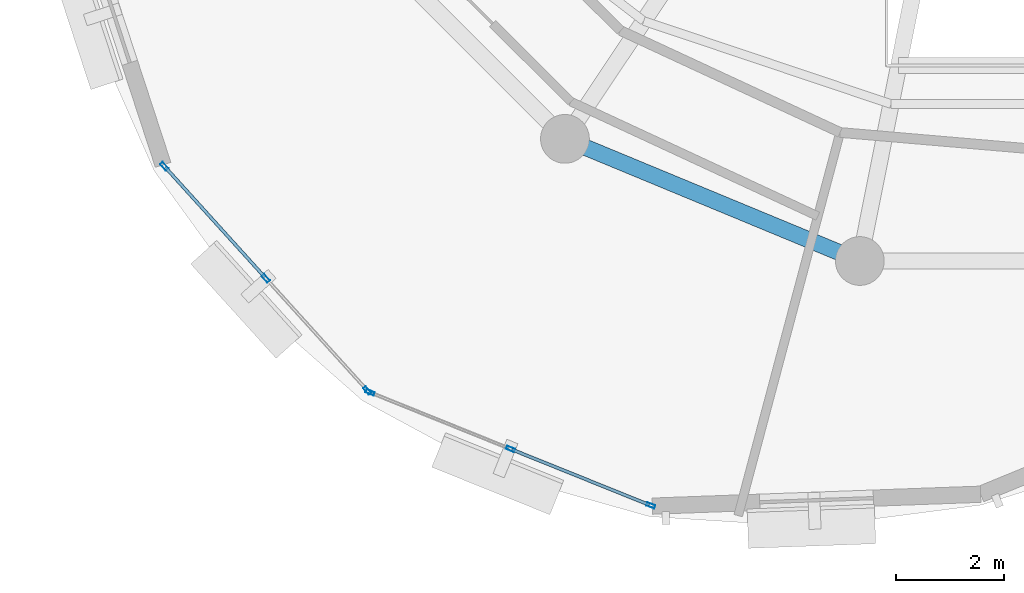
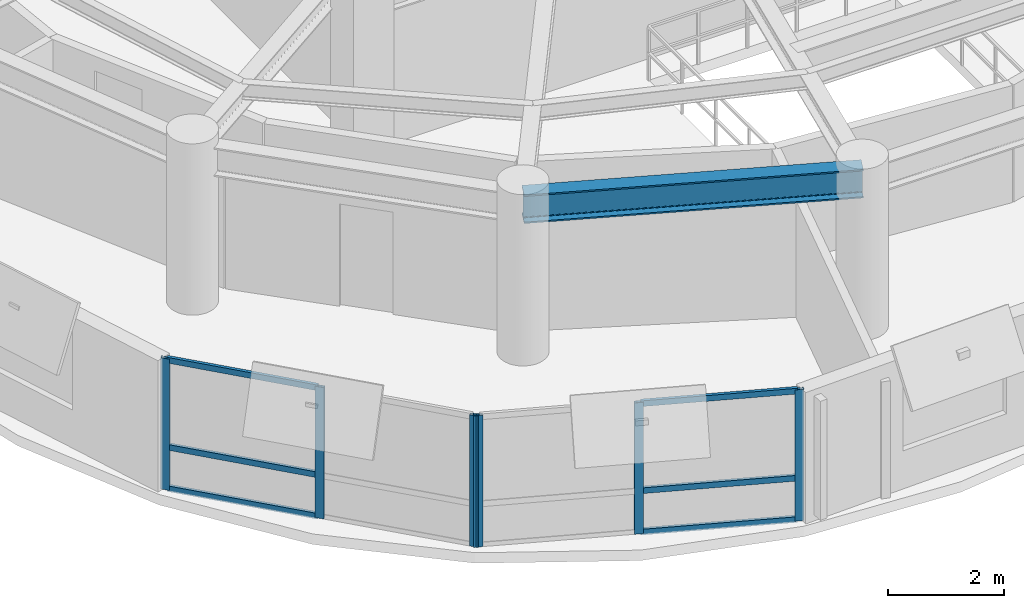
# One storey, part 2 of 11: 12 members, 1 beam, 2 elements without a shape of their own.
"""IFC4 building model written with IfcOpenShell, lengths in metres."""

from ifc_helpers import new_model, si_unit, direction, frame, origin, origin_2d, place, context, subcontext, project, spatial, hollow_rectangle, i_section, extrude, material, layer, layer_set, material_profile, profile_set, type_object, element, aggregate, save


model = new_model("IFC4")

# Units and contexts
model_context = context("Model", 3, precision=1e-05, world=origin(), true_north=direction((0.0, 1.0)))
body_context = subcontext(model_context, "Body", "Model", "MODEL_VIEW")
ifc_project = project(units=[si_unit("LENGTHUNIT", "METRE"), si_unit("AREAUNIT", "SQUARE_METRE"), si_unit("VOLUMEUNIT", "CUBIC_METRE"), si_unit("PLANEANGLEUNIT", "RADIAN"), si_unit("MASSUNIT", "GRAM", prefix="KILO"), si_unit("THERMODYNAMICTEMPERATUREUNIT", "KELVIN"), si_unit("POWERUNIT", "WATT")], contexts=[model_context])

# Site, building, storey
site_placement = place(None, origin())
site = spatial("IfcSite", under=ifc_project, at=site_placement, CompositionType="ELEMENT")
building_placement = place(site_placement, origin())
building = spatial("IfcBuilding", under=site, at=building_placement, Name="Ocrelia Relay Tower", CompositionType="ELEMENT")
storey_placement = place(building_placement, frame((0.0, 0.0, 259.199951171875)))
storey = spatial("IfcBuildingStorey", under=building, at=storey_placement, Name="L64", CompositionType="ELEMENT", Elevation=259.199951171875)

# Beam
ifc_material_1 = material(Name="Steel S355", Category="steel")
ifc_material_profile_1 = material_profile(ifc_material_1, i_section(OverallWidth=0.300048828125, OverallDepth=0.60009765625, WebThickness=0.015380859375, FlangeThickness=0.030029296875, FilletRadius=0.027099609375, at=origin_2d()), Name="HEB 600")
ifc_profile_set_1 = profile_set([ifc_material_profile_1], Name="Steel S355")
beam_type = type_object("IfcBeamType", Name="BM-HEB600", PredefinedType="BEAM", material=ifc_profile_set_1)
beam_placement = place(storey_placement, frame((25.61083984375, 13.44482421875, 3.080078125), z_axis=(0.923884009374, -0.382672624084, 0.0), x_axis=(0.382672624084, 0.923884009374, 0.0)))
element("IfcBeam", 1, at=beam_placement, inside=storey, type_object=beam_type, Name="L64 Perimeter Spandrel Beam S11", PredefinedType="BEAM", context=body_context, shape_type="SweptSolid", body=[
    extrude(i_section(OverallWidth=0.300048828125, OverallDepth=0.60009765625, WebThickness=0.015380859375, FlangeThickness=0.030029296875, FilletRadius=0.027099609375, at=origin_2d()), origin(), (0.0, 0.0, 1.0), 5.891845703125),
])

# Curtain wall, members
ifc_material_2 = material(Name="Aluminium and solar-control low-E glass", Category="aluminium")
ifc_layer = layer(ifc_material_2, 0.179931640625, Name="Aluminium and solar-control low-E glass")
ifc_layer_set = layer_set([ifc_layer], Name="Aluminium and solar-control low-E glass")
curtain_wall_type = type_object("IfcCurtainWallType", Name="CW-SYS-Z4-EXEC", PredefinedType="NOTDEFINED", material=ifc_layer_set)
curtain_wall_1_placement = place(storey_placement, origin())
curtain_wall_1 = element("IfcCurtainWall", 2, at=curtain_wall_1_placement, inside=storey, type_object=curtain_wall_type, Name="L64 Elliptical Tower Curtain Wall Bay 09", PredefinedType="NOTDEFINED")
ifc_material_3 = material(Name="Anodised bronze aluminium", Category="aluminium")
ifc_material_profile_2 = material_profile(ifc_material_3, hollow_rectangle(XDim=0.06494140625, YDim=0.159912109375, WallThickness=0.0048828125, at=origin_2d()), Name="CW-MUL-160x65")
ifc_profile_set_2 = profile_set([ifc_material_profile_2], Name="Anodised bronze aluminium")
member_type_1 = type_object("IfcMemberType", Name="CW-SYS-Z4-EXEC-MUL", PredefinedType="MULLION", material=ifc_profile_set_2)
member_1_placement = place(storey_placement, frame((18.215087890625, 12.94189453125, 0.0), z_axis=(0.0, 0.0, 1.0), x_axis=(0.741415012975, 0.671046778202, 0.0)))
member_1 = element("IfcMember", 3, at=member_1_placement, type_object=member_type_1, Name="CW-Z4 mullion 1", PredefinedType="MULLION", context=body_context, shape_type="SweptSolid", body=[
    extrude(hollow_rectangle(XDim=0.06494140625, YDim=0.159912109375, WallThickness=0.0048828125, at=origin_2d()), origin(), (0.0, 0.0, 1.0), 2.760009765625),
])
member_2_placement = place(storey_placement, frame((20.089111328125, 10.871337890625, 0.0), z_axis=(0.0, 0.0, 1.0), x_axis=(0.741415012975, 0.671046778202, 0.0)))
member_2 = element("IfcMember", 4, at=member_2_placement, type_object=member_type_1, Name="CW-Z4 mullion 2", PredefinedType="MULLION", context=body_context, shape_type="SweptSolid", body=[
    extrude(hollow_rectangle(XDim=0.06494140625, YDim=0.159912109375, WallThickness=0.0048828125, at=origin_2d()), origin(), (0.0, 0.0, 1.0), 2.760009765625),
])
member_3_placement = place(storey_placement, frame((21.963134765625, 8.80078125, 0.0), z_axis=(0.0, 0.0, 1.0), x_axis=(0.741415012975, 0.671046778202, 0.0)))
member_3 = element("IfcMember", 5, at=member_3_placement, type_object=member_type_1, Name="CW-Z4 mullion 3", PredefinedType="MULLION", context=body_context, shape_type="SweptSolid", body=[
    extrude(hollow_rectangle(XDim=0.06494140625, YDim=0.159912109375, WallThickness=0.0048828125, at=origin_2d()), origin(), (0.0, 0.0, 1.0), 2.760009765625),
])

curtain_wall_2_placement = place(storey_placement, origin())
curtain_wall_2 = element("IfcCurtainWall", 6, at=curtain_wall_2_placement, inside=storey, type_object=curtain_wall_type, Name="L64 Elliptical Tower Curtain Wall Bay 10", PredefinedType="NOTDEFINED")
member_4_placement = place(storey_placement, frame((22.01513671875, 8.7646484375, 0.0), z_axis=(0.0, 0.0, 1.0), x_axis=(0.373751273397, 0.927528967544, 0.0)))
member_4 = element("IfcMember", 7, at=member_4_placement, type_object=member_type_1, Name="CW-Z4 mullion 1", PredefinedType="MULLION", context=body_context, shape_type="SweptSolid", body=[
    extrude(hollow_rectangle(XDim=0.06494140625, YDim=0.159912109375, WallThickness=0.0048828125, at=origin_2d()), origin(), (0.0, 0.0, 1.0), 2.760009765625),
])
member_5_placement = place(storey_placement, frame((24.605224609375, 7.720947265625, 0.0), z_axis=(0.0, 0.0, 1.0), x_axis=(0.373751273397, 0.927528967544, 0.0)))
member_5 = element("IfcMember", 8, at=member_5_placement, type_object=member_type_1, Name="CW-Z4 mullion 2", PredefinedType="MULLION", context=body_context, shape_type="SweptSolid", body=[
    extrude(hollow_rectangle(XDim=0.06494140625, YDim=0.159912109375, WallThickness=0.0048828125, at=origin_2d()), origin(), (0.0, 0.0, 1.0), 2.760009765625),
])
member_6_placement = place(storey_placement, frame((27.195556640625, 6.67724609375, 0.0), z_axis=(0.0, 0.0, 1.0), x_axis=(0.373751273397, 0.927528967544, 0.0)))
member_6 = element("IfcMember", 9, at=member_6_placement, type_object=member_type_1, Name="CW-Z4 mullion 3", PredefinedType="MULLION", context=body_context, shape_type="SweptSolid", body=[
    extrude(hollow_rectangle(XDim=0.06494140625, YDim=0.159912109375, WallThickness=0.0048828125, at=origin_2d()), origin(), (0.0, 0.0, 1.0), 2.760009765625),
])

# Member
ifc_material_profile_3 = material_profile(ifc_material_3, hollow_rectangle(XDim=0.06005859375, YDim=0.1201171875, WallThickness=0.0048828125, at=origin_2d()), Name="CW-TRN-120x60")
ifc_profile_set_3 = profile_set([ifc_material_profile_3], Name="Anodised bronze aluminium")
member_type_2 = type_object("IfcMemberType", Name="CW-SYS-Z4-EXEC-TRN", PredefinedType="USERDEFINED", material=ifc_profile_set_3)
member_7_placement = place(storey_placement, frame((18.23681640625, 12.917724609375, 0.030029296875), z_axis=(0.671103135888, -0.741364000341, 0.0), x_axis=(0.741364000341, 0.671103135888, 0.0)))
member_7 = element("IfcMember", 10, at=member_7_placement, type_object=member_type_2, Name="CW-Z4 transom 1.1", ObjectType="TRANSOM", PredefinedType="USERDEFINED", context=body_context, shape_type="SweptSolid", body=[
    extrude(hollow_rectangle(XDim=0.06005859375, YDim=0.1201171875, WallThickness=0.0048828125, at=origin_2d()), origin(), (0.0, 0.0, 1.0), 2.727783203125),
])

member_8_placement = place(storey_placement, frame((18.23681640625, 12.917724609375, 0.900146484375), z_axis=(0.671103135888, -0.741364000341, 0.0), x_axis=(0.741364000341, 0.671103135888, 0.0)))
member_8 = element("IfcMember", 11, at=member_8_placement, type_object=member_type_2, Name="CW-Z4 transom 1.2", ObjectType="TRANSOM", PredefinedType="USERDEFINED", context=body_context, shape_type="SweptSolid", body=[
    extrude(hollow_rectangle(XDim=0.06005859375, YDim=0.1201171875, WallThickness=0.0048828125, at=origin_2d()), origin(), (0.0, 0.0, 1.0), 2.727783203125),
])

member_9_placement = place(storey_placement, frame((18.23681640625, 12.917724609375, 2.72998046875), z_axis=(0.671103135888, -0.741364000341, 0.0), x_axis=(0.741364000341, 0.671103135888, 0.0)))
member_9 = element("IfcMember", 12, at=member_9_placement, type_object=member_type_2, Name="CW-Z4 transom 1.3", ObjectType="TRANSOM", PredefinedType="USERDEFINED", context=body_context, shape_type="SweptSolid", body=[
    extrude(hollow_rectangle(XDim=0.06005859375, YDim=0.1201171875, WallThickness=0.0048828125, at=origin_2d()), origin(), (0.0, 0.0, 1.0), 2.727783203125),
])

aggregate(curtain_wall_1, [member_1, member_2, member_3, member_7, member_8, member_9])

member_10_placement = place(storey_placement, frame((24.635498046875, 7.708740234375, 0.030029296875), z_axis=(0.927523062409, -0.373765927687, 0.0), x_axis=(0.373765927687, 0.927523062409, 0.0)))
member_10 = element("IfcMember", 13, at=member_10_placement, type_object=member_type_2, Name="CW-Z4 transom 2.1", ObjectType="TRANSOM", PredefinedType="USERDEFINED", context=body_context, shape_type="SweptSolid", body=[
    extrude(hollow_rectangle(XDim=0.06005859375, YDim=0.1201171875, WallThickness=0.0048828125, at=origin_2d()), origin(), (0.0, 0.0, 1.0), 2.727783203125),
])

member_11_placement = place(storey_placement, frame((24.635498046875, 7.708740234375, 0.900146484375), z_axis=(0.927523062409, -0.373765927687, 0.0), x_axis=(0.373765927687, 0.927523062409, 0.0)))
member_11 = element("IfcMember", 14, at=member_11_placement, type_object=member_type_2, Name="CW-Z4 transom 2.2", ObjectType="TRANSOM", PredefinedType="USERDEFINED", context=body_context, shape_type="SweptSolid", body=[
    extrude(hollow_rectangle(XDim=0.06005859375, YDim=0.1201171875, WallThickness=0.0048828125, at=origin_2d()), origin(), (0.0, 0.0, 1.0), 2.727783203125),
])

member_12_placement = place(storey_placement, frame((24.635498046875, 7.708740234375, 2.72998046875), z_axis=(0.927523062409, -0.373765927687, 0.0), x_axis=(0.373765927687, 0.927523062409, 0.0)))
member_12 = element("IfcMember", 15, at=member_12_placement, type_object=member_type_2, Name="CW-Z4 transom 2.3", ObjectType="TRANSOM", PredefinedType="USERDEFINED", context=body_context, shape_type="SweptSolid", body=[
    extrude(hollow_rectangle(XDim=0.06005859375, YDim=0.1201171875, WallThickness=0.0048828125, at=origin_2d()), origin(), (0.0, 0.0, 1.0), 2.727783203125),
])

aggregate(curtain_wall_2, [member_4, member_5, member_6, member_10, member_11, member_12])

save(model, "model.ifc")
